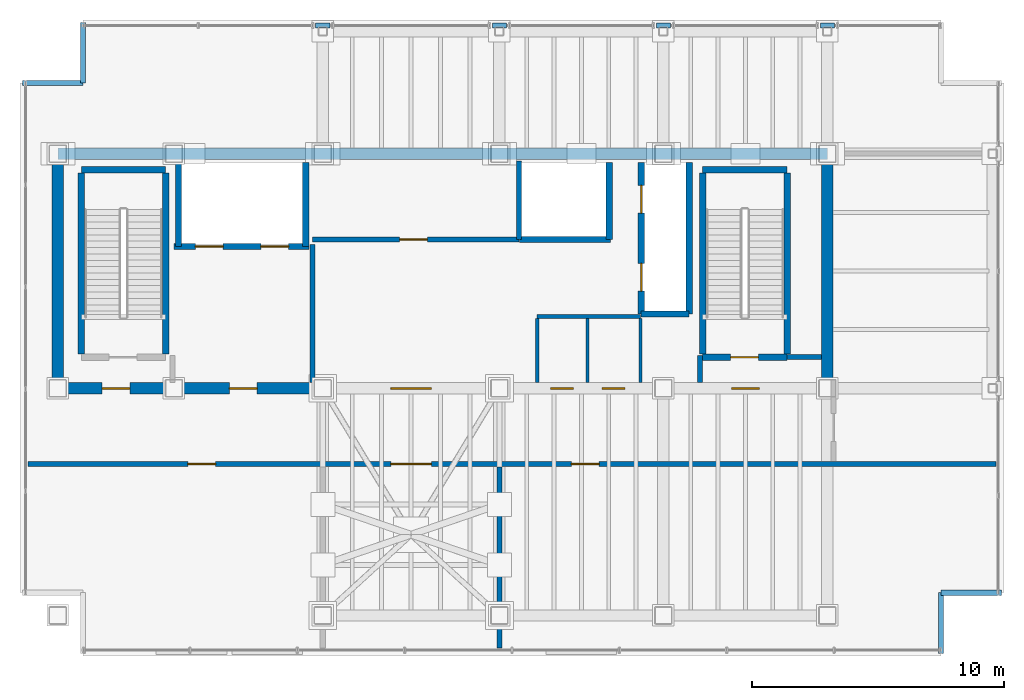
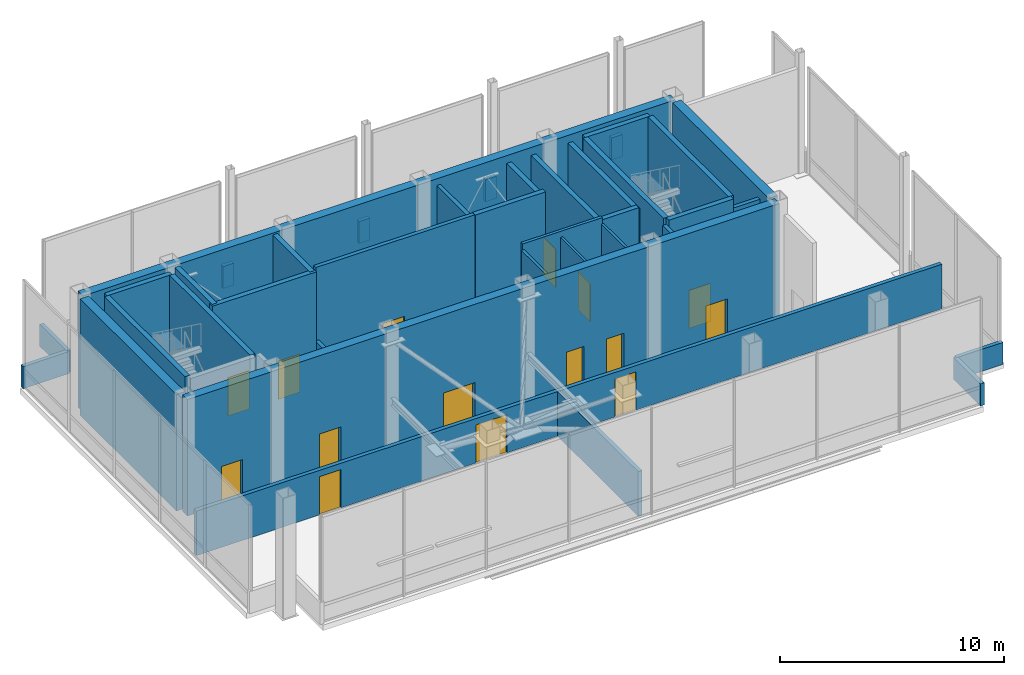
# One storey, part 17 of 19: 38 walls, 15 doors, 15 openings.
"""IFC4 building model written with IfcOpenShell, lengths in metres."""

from ifc_helpers import new_model, si_unit, direction, frame, frame_2d, origin, place, context, subcontext, project, spatial, rectangle, extrude, material, layer, layer_set, type_object, element, fill, save


model = new_model("IFC4")

# Units and contexts
model_context = context("Model", 3, precision=1e-05, world=origin(), true_north=direction((0.0, 1.0)))
body_context = subcontext(model_context, "Body", "Model", "MODEL_VIEW")
ifc_project = project(units=[si_unit("LENGTHUNIT", "METRE"), si_unit("AREAUNIT", "SQUARE_METRE"), si_unit("VOLUMEUNIT", "CUBIC_METRE"), si_unit("PLANEANGLEUNIT", "RADIAN"), si_unit("MASSUNIT", "GRAM", prefix="KILO")], contexts=[model_context])

# Site, building, storey
site_placement = place(None, origin())
site = spatial("IfcSite", under=ifc_project, at=site_placement, CompositionType="ELEMENT")
building_placement = place(site_placement, origin())
building = spatial("IfcBuilding", under=site, at=building_placement, Name="Noeulbin Bourse Tower", CompositionType="ELEMENT")
storey_placement = place(building_placement, frame((0.0, 0.0, 306.0)))
storey = spatial("IfcBuildingStorey", under=building, at=storey_placement, Name="L76", CompositionType="ELEMENT", Elevation=306.0)

# Wall, openings, doors
ifc_material_1 = material(Name="Concrete C50/60", Category="concrete")
ifc_layer_1 = layer(ifc_material_1, 0.449951171875)
ifc_layer_set_1 = layer_set([ifc_layer_1], Name="Concrete C50/60")
wall_type_1 = type_object("IfcWallType", Name="WAL-CORE-450", PredefinedType="SHEAR", material=ifc_layer_set_1)
wall_1_placement = place(storey_placement, frame((13.5, 29.0, 0.0), z_axis=(0.0, 0.0, 1.0), x_axis=(1.0, 0.0, 0.0)))
wall_1 = element("IfcWall", 1, at=wall_1_placement, inside=storey, type_object=wall_type_1, Name="Rear Core South Shear Wall L76", PredefinedType="SHEAR", context=body_context, shape_type="SweptSolid", body=[
    extrude(rectangle(XDim=30.5, YDim=0.449951171875, at=frame_2d((15.25, 0.0))), origin(), (0.0, 0.0, 1.0), 6.340087890625),
])
opening_1_placement = place(wall_1_placement, frame((1.75, 0.0, 0.0)))
opening_1 = element("IfcOpeningElement", 2, at=opening_1_placement, cuts=wall_1, Name="Opening FD-11", PredefinedType="OPENING", context=body_context, shape_type="SweptSolid", body=[
    extrude(rectangle(XDim=1.10009765625, YDim=2.080078125, at=frame_2d((0.550048828125, 1.0400390625))), frame((0.0, 0.23486328125, 0.0), z_axis=(0.0, -1.0, 0.0), x_axis=(1.0, 0.0, 0.0)), (0.0, 0.0, 1.0), 0.469970703125),
])
opening_2_placement = place(wall_1_placement, frame((26.699951171875, 0.0, 0.0)))
opening_2 = element("IfcOpeningElement", 3, at=opening_2_placement, cuts=wall_1, Name="Opening FD-11", PredefinedType="OPENING", context=body_context, shape_type="SweptSolid", body=[
    extrude(rectangle(XDim=1.10009765625, YDim=2.080078125, at=frame_2d((0.550048828125, 1.0400390625))), frame((0.0, 0.23486328125, 0.0), z_axis=(0.0, -1.0, 0.0), x_axis=(1.0, 0.0, 0.0)), (0.0, 0.0, 1.0), 0.469970703125),
])
opening_3_placement = place(wall_1_placement, frame((6.800048828125, 0.0, 0.0)))
opening_3 = element("IfcOpeningElement", 4, at=opening_3_placement, cuts=wall_1, Name="Opening FD-11", PredefinedType="OPENING", context=body_context, shape_type="SweptSolid", body=[
    extrude(rectangle(XDim=1.10009765625, YDim=2.080078125, at=frame_2d((0.550048828125, 1.0400390625))), frame((0.0, 0.23486328125, 0.0), z_axis=(0.0, -1.0, 0.0), x_axis=(1.0, 0.0, 0.0)), (0.0, 0.0, 1.0), 0.469970703125),
])
opening_4_placement = place(wall_1_placement, frame((13.199951171875, 0.0, 0.0)))
opening_4 = element("IfcOpeningElement", 5, at=opening_4_placement, cuts=wall_1, Name="Opening ID-16", PredefinedType="OPENING", context=body_context, shape_type="SweptSolid", body=[
    extrude(rectangle(XDim=1.60009765625, YDim=2.080078125, at=frame_2d((0.800048828125, 1.0400390625))), frame((0.0, 0.23486328125, 0.0), z_axis=(0.0, -1.0, 0.0), x_axis=(1.0, 0.0, 0.0)), (0.0, 0.0, 1.0), 0.469970703125),
])
opening_5_placement = place(wall_1_placement, frame((19.530029296875, 0.0, 0.0)))
opening_5 = element("IfcOpeningElement", 6, at=opening_5_placement, cuts=wall_1, Name="Opening FD-09", PredefinedType="OPENING", context=body_context, shape_type="SweptSolid", body=[
    extrude(rectangle(XDim=0.89990234375, YDim=2.080078125, at=frame_2d((0.449951171875, 1.0400390625))), frame((0.0, 0.23486328125, 0.0), z_axis=(0.0, -1.0, 0.0), x_axis=(1.0, 0.0, 0.0)), (0.0, 0.0, 1.0), 0.469970703125),
])
opening_6_placement = place(wall_1_placement, frame((21.570068359375, 0.0, 0.0)))
opening_6 = element("IfcOpeningElement", 7, at=opening_6_placement, cuts=wall_1, Name="Opening FD-09", PredefinedType="OPENING", context=body_context, shape_type="SweptSolid", body=[
    extrude(rectangle(XDim=0.89990234375, YDim=2.080078125, at=frame_2d((0.449951171875, 1.0400390625))), frame((0.0, 0.23486328125, 0.0), z_axis=(0.0, -1.0, 0.0), x_axis=(1.0, 0.0, 0.0)), (0.0, 0.0, 1.0), 0.469970703125),
])
ifc_material_2 = material(Name="Acoustic Glazed Aluminium", Category="aluminium")
door_type_1 = type_object("IfcDoorType", Name="DR-DBL-1600", OperationType="DOUBLE_DOOR_SINGLE_SWING", PredefinedType="DOOR", material=ifc_material_2)
door_1_placement = place(opening_4_placement, origin())
door_1 = element("IfcDoor", 8, at=door_1_placement, inside=storey, type_object=door_type_1, Name="Passenger Lift Lobby Portal L76", OperationType="DOUBLE_DOOR_SINGLE_SWING", OverallHeight=2.080078125, OverallWidth=1.60009765625, PredefinedType="DOOR", context=body_context, shape_type="SweptSolid", body=[
    extrude(rectangle(XDim=1.60009765625, YDim=2.080078125, at=frame_2d((0.800048828125, 1.0400390625))), frame((0.0, 0.02490234375, 0.0), z_axis=(0.0, -1.0, 0.0), x_axis=(1.0, 0.0, 0.0)), (0.0, 0.0, 1.0), 0.050048828125),
])
fill(opening_4, door_1)
ifc_material_3 = material(Name="Fire-Rated Timber Core", Category="wood")
door_type_2 = type_object("IfcDoorType", Name="DR-FD30-900", OperationType="SINGLE_SWING_RIGHT", PredefinedType="DOOR", material=ifc_material_3)
door_2_placement = place(opening_5_placement, origin())
door_2 = element("IfcDoor", 9, at=door_2_placement, inside=storey, type_object=door_type_2, Name="Interior Door L76-06", OperationType="SINGLE_SWING_RIGHT", OverallHeight=2.080078125, OverallWidth=0.89990234375, PredefinedType="DOOR", context=body_context, shape_type="SweptSolid", body=[
    extrude(rectangle(XDim=0.89990234375, YDim=2.080078125, at=frame_2d((0.449951171875, 1.0400390625))), frame((0.0, 0.02490234375, 0.0), z_axis=(0.0, -1.0, 0.0), x_axis=(1.0, 0.0, 0.0)), (0.0, 0.0, 1.0), 0.050048828125),
])
fill(opening_5, door_2)
door_3_placement = place(opening_6_placement, origin())
door_3 = element("IfcDoor", 10, at=door_3_placement, inside=storey, type_object=door_type_2, Name="Interior Door L76-07", OperationType="SINGLE_SWING_LEFT", OverallHeight=2.080078125, OverallWidth=0.89990234375, PredefinedType="DOOR", context=body_context, shape_type="SweptSolid", body=[
    extrude(rectangle(XDim=0.89990234375, YDim=2.080078125, at=frame_2d((0.449951171875, 1.0400390625))), frame((0.0, 0.02490234375, 0.0), z_axis=(0.0, -1.0, 0.0), x_axis=(1.0, 0.0, 0.0)), (0.0, 0.0, 1.0), 0.050048828125),
])
fill(opening_6, door_3)
ifc_material_4 = material(Name="Fire-Rated Insulated Steel", Category="steel")
door_type_3 = type_object("IfcDoorType", Name="DR-FD60-1100", OperationType="SINGLE_SWING_LEFT", PredefinedType="DOOR", material=ifc_material_4)
door_4_placement = place(opening_1_placement, origin())
door_4 = element("IfcDoor", 11, at=door_4_placement, inside=storey, type_object=door_type_3, Name="West Stair Lobby Door L76", OperationType="SINGLE_SWING_LEFT", OverallHeight=2.080078125, OverallWidth=1.10009765625, PredefinedType="DOOR", context=body_context, shape_type="SweptSolid", body=[
    extrude(rectangle(XDim=1.10009765625, YDim=2.080078125, at=frame_2d((0.550048828125, 1.0400390625))), frame((0.0, 0.02490234375, 0.0), z_axis=(0.0, -1.0, 0.0), x_axis=(1.0, 0.0, 0.0)), (0.0, 0.0, 1.0), 0.050048828125),
])
fill(opening_1, door_4)
door_5_placement = place(opening_2_placement, origin())
door_5 = element("IfcDoor", 12, at=door_5_placement, inside=storey, type_object=door_type_3, Name="East Stair Lobby Door L76", OperationType="SINGLE_SWING_RIGHT", OverallHeight=2.080078125, OverallWidth=1.10009765625, PredefinedType="DOOR", context=body_context, shape_type="SweptSolid", body=[
    extrude(rectangle(XDim=1.10009765625, YDim=2.080078125, at=frame_2d((0.550048828125, 1.0400390625))), frame((0.0, 0.02490234375, 0.0), z_axis=(0.0, -1.0, 0.0), x_axis=(1.0, 0.0, 0.0)), (0.0, 0.0, 1.0), 0.050048828125),
])
fill(opening_2, door_5)
door_6_placement = place(opening_3_placement, origin())
door_6 = element("IfcDoor", 13, at=door_6_placement, inside=storey, type_object=door_type_3, Name="Firefighting Lobby Door L76", OperationType="SINGLE_SWING_LEFT", OverallHeight=2.080078125, OverallWidth=1.10009765625, PredefinedType="DOOR", context=body_context, shape_type="SweptSolid", body=[
    extrude(rectangle(XDim=1.10009765625, YDim=2.080078125, at=frame_2d((0.550048828125, 1.0400390625))), frame((0.0, 0.02490234375, 0.0), z_axis=(0.0, -1.0, 0.0), x_axis=(1.0, 0.0, 0.0)), (0.0, 0.0, 1.0), 0.050048828125),
])
fill(opening_3, door_6)

# Walls
wall_2_placement = place(storey_placement, frame((13.5, 38.300048828125, 0.0), z_axis=(0.0, 0.0, 1.0), x_axis=(1.0, 0.0, 0.0)))
element("IfcWall", 14, at=wall_2_placement, inside=storey, type_object=wall_type_1, Name="Rear Core North Shear Wall L76", PredefinedType="SHEAR", context=body_context, shape_type="SweptSolid", body=[
    extrude(rectangle(XDim=30.5, YDim=0.449951171875, at=frame_2d((15.25, 0.0))), origin(), (0.0, 0.0, 1.0), 6.340087890625),
])
for number, where, z_axis, x_axis, name in (
    (15, (13.5, 29.35009765625, 0.0), (0.0, 0.0, 1.0), (0.0, 1.0, 0.0), "Rear Core West Shear Wall L76"),
    (16, (44.0, 29.35009765625, 0.0), (0.0, 0.0, 1.0), (0.0, 1.0, 0.0), "Rear Core East Shear Wall L76"),
):
    element("IfcWall", number, at=place(storey_placement, frame(where, z_axis=z_axis, x_axis=x_axis)), inside=storey, type_object=wall_type_1, Name=name, PredefinedType="SHEAR", context=body_context, shape_type="SweptSolid", body=[
        extrude(rectangle(XDim=8.599853515625, YDim=0.449951171875, at=frame_2d((4.2998046875, 0.0))), origin(), (0.0, 0.0, 1.0), 6.340087890625),
    ])
ifc_material_5 = material(Name="Concrete C40/50", Category="concrete")
ifc_layer_2 = layer(ifc_material_5, 0.199951171875)
ifc_layer_set_2 = layer_set([ifc_layer_2], Name="Concrete C40/50")
wall_type_2 = type_object("IfcWallType", Name="WAL-FIRE-200", PredefinedType="STANDARD", material=ifc_layer_set_2)
wall_3_placement = place(storey_placement, frame((42.39990234375, 30.239990234375, 0.0), z_axis=(0.0, 0.0, 1.0), x_axis=(1.0, 0.0, 0.0)))
element("IfcWall", 17, at=wall_3_placement, inside=storey, type_object=wall_type_2, Name="Interior Partition Wall L76-01", PredefinedType="STANDARD", context=body_context, shape_type="SweptSolid", body=[
    extrude(rectangle(XDim=1.364990234375, YDim=0.199951171875, at=frame_2d((0.6826171875, 0.0))), origin(), (0.0, 0.0, 1.0), 5.820068359375),
])

# Wall, opening, door
wall_4_placement = place(storey_placement, frame((23.60009765625, 34.89990234375, 0.0), z_axis=(0.0, 0.0, 1.0), x_axis=(1.0, 0.0, 0.0)))
wall_4 = element("IfcWall", 18, at=wall_4_placement, inside=storey, type_object=wall_type_2, Name="Interior Partition Wall L76-02", PredefinedType="STANDARD", context=body_context, shape_type="SweptSolid", body=[
    extrude(rectangle(XDim=8.179931640625, YDim=0.199951171875, at=frame_2d((4.08984375, 0.0))), origin(), (0.0, 0.0, 1.0), 6.340087890625),
])
opening_7_placement = place(wall_4_placement, frame((3.449951171875, 0.0, 0.0)))
opening_7 = element("IfcOpeningElement", 19, at=opening_7_placement, cuts=wall_4, Name="Opening FD-11", PredefinedType="OPENING", context=body_context, shape_type="SweptSolid", body=[
    extrude(rectangle(XDim=1.10009765625, YDim=2.080078125, at=frame_2d((0.550048828125, 1.0400390625))), frame((0.0, 0.10986328125, 0.0), z_axis=(0.0, -1.0, 0.0), x_axis=(1.0, 0.0, 0.0)), (0.0, 0.0, 1.0), 0.219970703125),
])
door_7_placement = place(opening_7_placement, origin())
door_7 = element("IfcDoor", 20, at=door_7_placement, inside=storey, type_object=door_type_3, Name="Telemetry Server Door L76", OperationType="SINGLE_SWING_LEFT", OverallHeight=2.080078125, OverallWidth=1.10009765625, PredefinedType="DOOR", context=body_context, shape_type="SweptSolid", body=[
    extrude(rectangle(XDim=1.10009765625, YDim=2.080078125, at=frame_2d((0.550048828125, 1.0400390625))), frame((0.0, 0.02490234375, 0.0), z_axis=(0.0, -1.0, 0.0), x_axis=(1.0, 0.0, 0.0)), (0.0, 0.0, 1.0), 0.050048828125),
])
fill(opening_7, door_7)

# Wall, openings, doors
wall_5_placement = place(storey_placement, frame((12.31005859375, 26.0, 0.0), z_axis=(0.0, 0.0, 1.0), x_axis=(1.0, 0.0, 0.0)))
wall_5 = element("IfcWall", 21, at=wall_5_placement, inside=storey, type_object=wall_type_2, Name="Interior Partition Wall L76-04", PredefinedType="STANDARD", context=body_context, shape_type="SweptSolid", body=[
    extrude(rectangle(XDim=38.3798828125, YDim=0.199951171875, at=frame_2d((19.18994140625, 0.0))), origin(), (0.0, 0.0, 1.0), 2.429931640625),
])
opening_8_placement = place(wall_5_placement, frame((6.340087890625, 0.0, 0.0)))
opening_8 = element("IfcOpeningElement", 22, at=opening_8_placement, cuts=wall_5, Name="Opening FD-11", PredefinedType="OPENING", context=body_context, shape_type="SweptSolid", body=[
    extrude(rectangle(XDim=1.10009765625, YDim=2.080078125, at=frame_2d((0.550048828125, 1.0400390625))), frame((0.0, 0.10986328125, 0.0), z_axis=(0.0, -1.0, 0.0), x_axis=(1.0, 0.0, 0.0)), (0.0, 0.0, 1.0), 0.219970703125),
])
opening_9_placement = place(wall_5_placement, frame((14.389892578125, 0.0, 0.0)))
opening_9 = element("IfcOpeningElement", 23, at=opening_9_placement, cuts=wall_5, Name="Opening ID-16", PredefinedType="OPENING", context=body_context, shape_type="SweptSolid", body=[
    extrude(rectangle(XDim=1.60009765625, YDim=2.080078125, at=frame_2d((0.800048828125, 1.0400390625))), frame((0.0, 0.10986328125, 0.0), z_axis=(0.0, -1.0, 0.0), x_axis=(1.0, 0.0, 0.0)), (0.0, 0.0, 1.0), 0.219970703125),
])
opening_10_placement = place(wall_5_placement, frame((21.5400390625, 0.0, 0.0)))
opening_10 = element("IfcOpeningElement", 24, at=opening_10_placement, cuts=wall_5, Name="Opening FD-11", PredefinedType="OPENING", context=body_context, shape_type="SweptSolid", body=[
    extrude(rectangle(XDim=1.10009765625, YDim=2.080078125, at=frame_2d((0.550048828125, 1.0400390625))), frame((0.0, 0.10986328125, 0.0), z_axis=(0.0, -1.0, 0.0), x_axis=(1.0, 0.0, 0.0)), (0.0, 0.0, 1.0), 0.219970703125),
])
door_8_placement = place(opening_9_placement, origin())
door_8 = element("IfcDoor", 25, at=door_8_placement, inside=storey, type_object=door_type_1, Name="Interior Door L76-10", OperationType="DOUBLE_DOOR_SINGLE_SWING", OverallHeight=2.080078125, OverallWidth=1.60009765625, PredefinedType="DOOR", context=body_context, shape_type="SweptSolid", body=[
    extrude(rectangle(XDim=1.60009765625, YDim=2.080078125, at=frame_2d((0.800048828125, 1.0400390625))), frame((0.0, 0.02490234375, 0.0), z_axis=(0.0, -1.0, 0.0), x_axis=(1.0, 0.0, 0.0)), (0.0, 0.0, 1.0), 0.050048828125),
])
fill(opening_9, door_8)
door_9_placement = place(opening_8_placement, origin())
door_9 = element("IfcDoor", 26, at=door_9_placement, inside=storey, type_object=door_type_3, Name="Interior Door L76-09", OperationType="SINGLE_SWING_LEFT", OverallHeight=2.080078125, OverallWidth=1.10009765625, PredefinedType="DOOR", context=body_context, shape_type="SweptSolid", body=[
    extrude(rectangle(XDim=1.10009765625, YDim=2.080078125, at=frame_2d((0.550048828125, 1.0400390625))), frame((0.0, 0.02490234375, 0.0), z_axis=(0.0, -1.0, 0.0), x_axis=(1.0, 0.0, 0.0)), (0.0, 0.0, 1.0), 0.050048828125),
])
fill(opening_8, door_9)
door_10_placement = place(opening_10_placement, origin())
door_10 = element("IfcDoor", 27, at=door_10_placement, inside=storey, type_object=door_type_3, Name="Interior Door L76-11", OperationType="SINGLE_SWING_LEFT", OverallHeight=2.080078125, OverallWidth=1.10009765625, PredefinedType="DOOR", context=body_context, shape_type="SweptSolid", body=[
    extrude(rectangle(XDim=1.10009765625, YDim=2.080078125, at=frame_2d((0.550048828125, 1.0400390625))), frame((0.0, 0.02490234375, 0.0), z_axis=(0.0, -1.0, 0.0), x_axis=(1.0, 0.0, 0.0)), (0.0, 0.0, 1.0), 0.050048828125),
])
fill(opening_10, door_10)

# Walls
wall_6_placement = place(storey_placement, frame((38.949951171875, 29.235107421875, 0.0), z_axis=(0.0, 0.0, 1.0), x_axis=(0.0, 1.0, 0.0)))
element("IfcWall", 28, at=wall_6_placement, inside=storey, type_object=wall_type_2, Name="Interior Partition Wall L76-07", PredefinedType="STANDARD", context=body_context, shape_type="SweptSolid", body=[
    extrude(rectangle(XDim=1.06494140625, YDim=0.199951171875, at=frame_2d((0.532470703125, 0.0))), origin(), (0.0, 0.0, 1.0), 6.02001953125),
])
wall_7_placement = place(storey_placement, frame((23.60009765625, 29.235107421875, 0.0), z_axis=(0.0, 0.0, 1.0), x_axis=(0.0, 1.0, 0.0)))
element("IfcWall", 29, at=wall_7_placement, inside=storey, type_object=wall_type_2, Name="Interior Partition Wall L76-08", PredefinedType="STANDARD", context=body_context, shape_type="SweptSolid", body=[
    extrude(rectangle(XDim=5.46484375, YDim=0.199951171875, at=frame_2d((2.732421875, 0.0))), origin(), (0.0, 0.0, 1.0), 2.429931640625),
])
wall_8_placement = place(storey_placement, frame((31.0, 18.7099609375, 0.0), z_axis=(0.0, 0.0, 1.0), x_axis=(0.0, 1.0, 0.0)))
element("IfcWall", 30, at=wall_8_placement, inside=storey, type_object=wall_type_2, Name="Interior Partition Wall L76-14", PredefinedType="STANDARD", context=body_context, shape_type="SweptSolid", body=[
    extrude(rectangle(XDim=7.179931640625, YDim=0.199951171875, at=frame_2d((3.58984375, 0.0))), origin(), (0.0, 0.0, 1.0), 2.429931640625),
])
ifc_layer_3 = layer(ifc_material_5, 0.199951171875)
ifc_layer_set_3 = layer_set([ifc_layer_3], Name="Concrete C40/50")
wall_type_3 = type_object("IfcWallType", Name="WAL-PAR-200", PredefinedType="PARAPET", material=ifc_layer_set_3)
for number, where, z_axis, x_axis, name in (
    (31, (23.719970703125, 43.3798828125, 0.0), (0.0, 0.0, 1.0), (1.0, 0.0, 0.0), "Perimeter Pier Spandrel Parapet L76-N1"),
    (32, (30.719970703125, 43.3798828125, 0.0), (0.0, 0.0, 1.0), (1.0, 0.0, 0.0), "Perimeter Pier Spandrel Parapet L76-N2"),
    (33, (37.219970703125, 43.3798828125, 0.0), (0.0, 0.0, 1.0), (1.0, 0.0, 0.0), "Perimeter Pier Spandrel Parapet L76-N3"),
    (34, (43.719970703125, 43.3798828125, 0.0), (0.0, 0.0, 1.0), (1.0, 0.0, 0.0), "Perimeter Pier Spandrel Parapet L76-N4"),
):
    element("IfcWall", number, at=place(storey_placement, frame(where, z_axis=z_axis, x_axis=x_axis)), inside=storey, type_object=wall_type_3, Name=name, PredefinedType="PARAPET", context=body_context, shape_type="SweptSolid", body=[
        extrude(rectangle(XDim=0.56005859375, YDim=0.199951171875, at=frame_2d((0.280029296875, 0.0))), origin(), (0.0, 0.0, 1.0), 1.199951171875),
    ])
for number, where, z_axis, x_axis, name in (
    (35, (48.5, 18.5, 0.0), (0.0, 0.0, 1.0), (0.0, 1.0, 0.0), "Corner Notch Parapet L76-SE1"),
    (36, (48.5, 20.89990234375, 0.0), (0.0, 0.0, 1.0), (1.0, 0.0, 0.0), "Corner Notch Parapet L76-SE2"),
    (37, (12.10009765625, 41.10009765625, 0.0), (0.0, 0.0, 1.0), (1.0, 0.0, 0.0), "Corner Notch Parapet L76-NW1"),
    (38, (14.5, 41.10009765625, 0.0), (0.0, 0.0, 1.0), (0.0, 1.0, 0.0), "Corner Notch Parapet L76-NW2"),
):
    element("IfcWall", number, at=place(storey_placement, frame(where, z_axis=z_axis, x_axis=x_axis)), inside=storey, type_object=wall_type_3, Name=name, PredefinedType="PARAPET", context=body_context, shape_type="SweptSolid", body=[
        extrude(rectangle(XDim=2.39990234375, YDim=0.199951171875, at=frame_2d((1.199951171875, 0.0))), origin(), (0.0, 0.0, 1.0), 1.199951171875),
    ])
ifc_material_6 = material(Name="Steel Stud Gypsum Partition", Category="steel")
ifc_layer_4 = layer(ifc_material_6, 0.1201171875)
ifc_layer_set_4 = layer_set([ifc_layer_4], Name="Steel Stud Gypsum Partition")
wall_type_4 = type_object("IfcWallType", Name="WAL-PRT-120", PredefinedType="PARTITIONING", material=ifc_layer_set_4)
for number, where, z_axis, x_axis, name in (
    (39, (36.60009765625, 29.235107421875, 0.0), (0.0, 0.0, 1.0), (0.0, 1.0, 0.0), "Interior Partition Wall L76-10"),
    (40, (34.5, 29.235107421875, 0.0), (0.0, 0.0, 1.0), (0.0, 1.0, 0.0), "Interior Partition Wall L76-11"),
):
    element("IfcWall", number, at=place(storey_placement, frame(where, z_axis=z_axis, x_axis=x_axis)), inside=storey, type_object=wall_type_4, Name=name, PredefinedType="PARTITIONING", context=body_context, shape_type="SweptSolid", body=[
        extrude(rectangle(XDim=2.52978515625, YDim=0.1201171875, at=frame_2d((1.264892578125, 0.0))), origin(), (0.0, 0.0, 1.0), 6.02001953125),
    ])
ifc_material_7 = material(Name="Steel Stud Acoustic Gypsum Board", Category="steel")
ifc_layer_5 = layer(ifc_material_7, 0.14990234375)
ifc_layer_set_5 = layer_set([ifc_layer_5], Name="Steel Stud Acoustic Gypsum Board")
wall_type_5 = type_object("IfcWallType", Name="WAL-PRT-150", PredefinedType="PARTITIONING", material=ifc_layer_set_5)
wall_9_placement = place(storey_placement, frame((32.5, 31.85009765625, 0.0), z_axis=(0.0, 0.0, 1.0), x_axis=(1.0, 0.0, 0.0)))
element("IfcWall", 41, at=wall_9_placement, inside=storey, type_object=wall_type_5, Name="Interior Partition Wall L76-03", PredefinedType="PARTITIONING", context=body_context, shape_type="SweptSolid", body=[
    extrude(rectangle(XDim=4.10009765625, YDim=0.14990234375, at=frame_2d((2.050048828125, 0.0))), origin(), (0.0, 0.0, 1.0), 6.340087890625),
])
wall_10_placement = place(storey_placement, frame((32.5, 29.235107421875, 0.0), z_axis=(0.0, 0.0, 1.0), x_axis=(0.0, 1.0, 0.0)))
element("IfcWall", 42, at=wall_10_placement, inside=storey, type_object=wall_type_5, Name="Interior Partition Wall L76-09", PredefinedType="PARTITIONING", context=body_context, shape_type="SweptSolid", body=[
    extrude(rectangle(XDim=2.52978515625, YDim=0.14990234375, at=frame_2d((1.264892578125, 0.0))), origin(), (0.0, 0.0, 1.0), 6.02001953125),
])
ifc_layer_6 = layer(ifc_material_5, 0.25)
ifc_layer_set_6 = layer_set([ifc_layer_6], Name="Concrete C40/50")
wall_type_6 = type_object("IfcWallType", Name="WAL-SHFT-250", PredefinedType="STANDARD", material=ifc_layer_set_6)
wall_11_placement = place(storey_placement, frame((14.429931640625, 37.6689453125, 0.0), z_axis=(0.0, 0.0, 1.0), x_axis=(1.0, 0.0, 0.0)))
element("IfcWall", 43, at=wall_11_placement, inside=storey, type_object=wall_type_6, Name="Stair ST-1 North Shaft Wall L76", PredefinedType="STANDARD", context=body_context, shape_type="SweptSolid", body=[
    extrude(rectangle(XDim=3.340087890625, YDim=0.25, at=frame_2d((1.669921875, 0.0))), origin(), (0.0, 0.0, 1.0), 6.340087890625),
])
for number, where, z_axis, x_axis, name in (
    (44, (14.425048828125, 30.360107421875, 0.0), (0.0, 0.0, 1.0), (0.0, 1.0, 0.0), "Stair ST-1 West Shaft Wall L76"),
    (45, (17.77490234375, 30.360107421875, 0.0), (0.0, 0.0, 1.0), (0.0, 1.0, 0.0), "Stair ST-1 East Shaft Wall L76"),
):
    element("IfcWall", number, at=place(storey_placement, frame(where, z_axis=z_axis, x_axis=x_axis)), inside=storey, type_object=wall_type_6, Name=name, PredefinedType="STANDARD", context=body_context, shape_type="SweptSolid", body=[
        extrude(rectangle(XDim=7.183837890625, YDim=0.25, at=frame_2d((3.591796875, 0.0))), origin(), (0.0, 0.0, 1.0), 6.340087890625),
    ])

# Wall, opening, door
wall_12_placement = place(storey_placement, frame((39.06005859375, 30.235107421875, 0.0), z_axis=(0.0, 0.0, 1.0), x_axis=(1.0, 0.0, 0.0)))
wall_12 = element("IfcWall", 46, at=wall_12_placement, inside=storey, type_object=wall_type_6, Name="Stair ST-2 South Shaft Wall L76", PredefinedType="STANDARD", context=body_context, shape_type="SweptSolid", body=[
    extrude(rectangle(XDim=3.33984375, YDim=0.25, at=frame_2d((1.669921875, 0.0))), origin(), (0.0, 0.0, 1.0), 6.340087890625),
])
opening_11_placement = place(wall_12_placement, frame((1.10009765625, 0.0, 0.0)))
opening_11 = element("IfcOpeningElement", 47, at=opening_11_placement, cuts=wall_12, Name="Opening FD-11", PredefinedType="OPENING", context=body_context, shape_type="SweptSolid", body=[
    extrude(rectangle(XDim=1.10009765625, YDim=2.080078125, at=frame_2d((0.550048828125, 1.0400390625))), frame((0.0, 0.135009765625, 0.0), z_axis=(0.0, -1.0, 0.0), x_axis=(1.0, 0.0, 0.0)), (0.0, 0.0, 1.0), 0.27001953125),
])
door_11_placement = place(opening_11_placement, origin())
door_11 = element("IfcDoor", 48, at=door_11_placement, inside=storey, type_object=door_type_3, Name="Protected Stair Entry Door ST2-L76", OperationType="SINGLE_SWING_RIGHT", OverallHeight=2.080078125, OverallWidth=1.10009765625, PredefinedType="DOOR", context=body_context, shape_type="SweptSolid", body=[
    extrude(rectangle(XDim=1.10009765625, YDim=2.080078125, at=frame_2d((0.550048828125, 1.0400390625))), frame((0.0, 0.02490234375, 0.0), z_axis=(0.0, -1.0, 0.0), x_axis=(1.0, 0.0, 0.0)), (0.0, 0.0, 1.0), 0.050048828125),
])
fill(opening_11, door_11)

# Walls
wall_13_placement = place(storey_placement, frame((39.06005859375, 37.6689453125, 0.0), z_axis=(0.0, 0.0, 1.0), x_axis=(1.0, 0.0, 0.0)))
element("IfcWall", 49, at=wall_13_placement, inside=storey, type_object=wall_type_6, Name="Stair ST-2 North Shaft Wall L76", PredefinedType="STANDARD", context=body_context, shape_type="SweptSolid", body=[
    extrude(rectangle(XDim=3.33984375, YDim=0.25, at=frame_2d((1.669921875, 0.0))), origin(), (0.0, 0.0, 1.0), 6.340087890625),
])
for number, where, z_axis, x_axis, name in (
    (50, (39.054931640625, 30.360107421875, 0.0), (0.0, 0.0, 1.0), (0.0, 1.0, 0.0), "Stair ST-2 West Shaft Wall L76"),
    (51, (42.405029296875, 30.360107421875, 0.0), (0.0, 0.0, 1.0), (0.0, 1.0, 0.0), "Stair ST-2 East Shaft Wall L76"),
):
    element("IfcWall", number, at=place(storey_placement, frame(where, z_axis=z_axis, x_axis=x_axis)), inside=storey, type_object=wall_type_6, Name=name, PredefinedType="STANDARD", context=body_context, shape_type="SweptSolid", body=[
        extrude(rectangle(XDim=7.183837890625, YDim=0.25, at=frame_2d((3.591796875, 0.0))), origin(), (0.0, 0.0, 1.0), 6.340087890625),
    ])

# Wall, openings, doors
wall_14_placement = place(storey_placement, frame((18.10009765625, 34.6201171875, 0.0), z_axis=(0.0, 0.0, 1.0), x_axis=(1.0, 0.0, 0.0)))
wall_14 = element("IfcWall", 52, at=wall_14_placement, inside=storey, type_object=wall_type_6, Name="Firefighting Lift Shaft Front L76", PredefinedType="STANDARD", context=body_context, shape_type="SweptSolid", body=[
    extrude(rectangle(XDim=5.349853515625, YDim=0.25, at=frame_2d((2.6748046875, 0.0))), origin(), (0.0, 0.0, 1.0), 6.340087890625),
])
opening_12_placement = place(wall_14_placement, frame((0.85009765625, 0.0, 0.0)))
opening_12 = element("IfcOpeningElement", 53, at=opening_12_placement, cuts=wall_14, Name="Opening LD-11", PredefinedType="OPENING", context=body_context, shape_type="SweptSolid", body=[
    extrude(rectangle(XDim=1.10009765625, YDim=2.080078125, at=frame_2d((0.550048828125, 1.0400390625))), frame((0.0, 0.135009765625, 0.0), z_axis=(0.0, -1.0, 0.0), x_axis=(1.0, 0.0, 0.0)), (0.0, 0.0, 1.0), 0.27001953125),
])
opening_13_placement = place(wall_14_placement, frame((3.449951171875, 0.0, 0.0)))
opening_13 = element("IfcOpeningElement", 54, at=opening_13_placement, cuts=wall_14, Name="Opening LD-11", PredefinedType="OPENING", context=body_context, shape_type="SweptSolid", body=[
    extrude(rectangle(XDim=1.10009765625, YDim=2.080078125, at=frame_2d((0.550048828125, 1.0400390625))), frame((0.0, 0.135009765625, 0.0), z_axis=(0.0, -1.0, 0.0), x_axis=(1.0, 0.0, 0.0)), (0.0, 0.0, 1.0), 0.27001953125),
])
ifc_material_8 = material(Name="Brushed Stainless Steel 316", Category="steel")
door_type_4 = type_object("IfcDoorType", Name="DR-LIFT-1100", OperationType="SLIDING_TO_LEFT", PredefinedType="DOOR", material=ifc_material_8)
door_12_placement = place(opening_12_placement, origin())
door_12 = element("IfcDoor", 55, at=door_12_placement, inside=storey, type_object=door_type_4, Name="Lift Landing Door LD-FL-01-L76", OperationType="SLIDING_TO_LEFT", OverallHeight=2.080078125, OverallWidth=1.10009765625, PredefinedType="DOOR", context=body_context, shape_type="SweptSolid", body=[
    extrude(rectangle(XDim=1.10009765625, YDim=2.080078125, at=frame_2d((0.550048828125, 1.0400390625))), frame((0.0, 0.02490234375, 0.0), z_axis=(0.0, -1.0, 0.0), x_axis=(1.0, 0.0, 0.0)), (0.0, 0.0, 1.0), 0.050048828125),
])
fill(opening_12, door_12)
door_13_placement = place(opening_13_placement, origin())
door_13 = element("IfcDoor", 56, at=door_13_placement, inside=storey, type_object=door_type_4, Name="Lift Landing Door LD-FL-02-L76", OperationType="SLIDING_TO_LEFT", OverallHeight=2.080078125, OverallWidth=1.10009765625, PredefinedType="DOOR", context=body_context, shape_type="SweptSolid", body=[
    extrude(rectangle(XDim=1.10009765625, YDim=2.080078125, at=frame_2d((0.550048828125, 1.0400390625))), frame((0.0, 0.02490234375, 0.0), z_axis=(0.0, -1.0, 0.0), x_axis=(1.0, 0.0, 0.0)), (0.0, 0.0, 1.0), 0.050048828125),
])
fill(opening_13, door_13)

wall_15_placement = place(storey_placement, frame((36.6201171875, 31.949951171875, 0.0), z_axis=(0.0, 0.0, 1.0), x_axis=(0.0, 1.0, 0.0)))
wall_15 = element("IfcWall", 57, at=wall_15_placement, inside=storey, type_object=wall_type_6, Name="Service Lift Shaft Wall L76", PredefinedType="STANDARD", context=body_context, shape_type="SweptSolid", body=[
    extrude(rectangle(XDim=6.0, YDim=0.25, at=frame_2d((3.0, 0.0))), origin(), (0.0, 0.0, 1.0), 6.02001953125),
])
opening_14_placement = place(wall_15_placement, frame((0.89990234375, 0.0, 0.0)))
opening_14 = element("IfcOpeningElement", 58, at=opening_14_placement, cuts=wall_15, Name="Opening LD-11", PredefinedType="OPENING", context=body_context, shape_type="SweptSolid", body=[
    extrude(rectangle(XDim=1.10009765625, YDim=2.080078125, at=frame_2d((0.550048828125, 1.0400390625))), frame((0.0, 0.135009765625, 0.0), z_axis=(0.0, -1.0, 0.0), x_axis=(1.0, 0.0, 0.0)), (0.0, 0.0, 1.0), 0.27001953125),
])
opening_15_placement = place(wall_15_placement, frame((4.0, 0.0, 0.0)))
opening_15 = element("IfcOpeningElement", 59, at=opening_15_placement, cuts=wall_15, Name="Opening LD-11", PredefinedType="OPENING", context=body_context, shape_type="SweptSolid", body=[
    extrude(rectangle(XDim=1.10009765625, YDim=2.080078125, at=frame_2d((0.550048828125, 1.0400390625))), frame((0.0, 0.135009765625, 0.0), z_axis=(0.0, -1.0, 0.0), x_axis=(1.0, 0.0, 0.0)), (0.0, 0.0, 1.0), 0.27001953125),
])
door_14_placement = place(opening_14_placement, origin())
door_14 = element("IfcDoor", 60, at=door_14_placement, inside=storey, type_object=door_type_4, Name="Lift Landing Door LD-EL-01-L76", OperationType="SLIDING_TO_LEFT", OverallHeight=2.080078125, OverallWidth=1.10009765625, PredefinedType="DOOR", context=body_context, shape_type="SweptSolid", body=[
    extrude(rectangle(XDim=1.10009765625, YDim=2.080078125, at=frame_2d((0.550048828125, 1.0400390625))), frame((0.0, 0.02490234375, 0.0), z_axis=(0.0, -1.0, 0.0), x_axis=(1.0, 0.0, 0.0)), (0.0, 0.0, 1.0), 0.050048828125),
])
fill(opening_14, door_14)
door_15_placement = place(opening_15_placement, origin())
door_15 = element("IfcDoor", 61, at=door_15_placement, inside=storey, type_object=door_type_4, Name="Lift Landing Door LD-SV-01-L76", OperationType="SLIDING_TO_LEFT", OverallHeight=2.080078125, OverallWidth=1.10009765625, PredefinedType="DOOR", context=body_context, shape_type="SweptSolid", body=[
    extrude(rectangle(XDim=1.10009765625, YDim=2.080078125, at=frame_2d((0.550048828125, 1.0400390625))), frame((0.0, 0.02490234375, 0.0), z_axis=(0.0, -1.0, 0.0), x_axis=(1.0, 0.0, 0.0)), (0.0, 0.0, 1.0), 0.050048828125),
])
fill(opening_15, door_15)

# Walls
wall_16_placement = place(storey_placement, frame((38.52001953125, 31.949951171875, 0.0), z_axis=(0.0, 0.0, 1.0), x_axis=(0.0, 1.0, 0.0)))
element("IfcWall", 62, at=wall_16_placement, inside=storey, type_object=wall_type_6, Name="Service Lift East Shaft Wall L76", PredefinedType="STANDARD", context=body_context, shape_type="SweptSolid", body=[
    extrude(rectangle(XDim=6.0, YDim=0.25, at=frame_2d((3.0, 0.0))), origin(), (0.0, 0.0, 1.0), 6.02001953125),
])
wall_17_placement = place(storey_placement, frame((36.6201171875, 31.949951171875, 0.0), z_axis=(0.0, 0.0, 1.0), x_axis=(1.0, 0.0, 0.0)))
element("IfcWall", 63, at=wall_17_placement, inside=storey, type_object=wall_type_6, Name="Service Lift South Shaft Wall L76", PredefinedType="STANDARD", context=body_context, shape_type="SweptSolid", body=[
    extrude(rectangle(XDim=1.89990234375, YDim=0.25, at=frame_2d((0.949951171875, 0.0))), origin(), (0.0, 0.0, 1.0), 6.179931640625),
])
for number, where, z_axis, x_axis, name in (
    (64, (18.280029296875, 34.6201171875, 0.0), (0.0, 0.0, 1.0), (0.0, 1.0, 0.0), "Firefighting Lift West Shaft Wall L76"),
    (65, (23.320068359375, 34.6201171875, 0.0), (0.0, 0.0, 1.0), (0.0, 1.0, 0.0), "Firefighting Lift East Shaft Wall L76"),
):
    element("IfcWall", number, at=place(storey_placement, frame(where, z_axis=z_axis, x_axis=x_axis)), inside=storey, type_object=wall_type_6, Name=name, PredefinedType="STANDARD", context=body_context, shape_type="SweptSolid", body=[
        extrude(rectangle(XDim=3.329833984375, YDim=0.25, at=frame_2d((1.6650390625, 0.0))), origin(), (0.0, 0.0, 1.0), 6.340087890625),
    ])
wall_18_placement = place(storey_placement, frame((35.360107421875, 34.89990234375, 0.0), z_axis=(0.0, 0.0, 1.0), x_axis=(0.0, 1.0, 0.0)))
element("IfcWall", 66, at=wall_18_placement, inside=storey, type_object=wall_type_6, Name="High-Rise Lift East Shaft Wall L76", PredefinedType="STANDARD", context=body_context, shape_type="SweptSolid", body=[
    extrude(rectangle(XDim=3.050048828125, YDim=0.25, at=frame_2d((1.52490234375, 0.0))), origin(), (0.0, 0.0, 1.0), 6.02001953125),
])
wall_19_placement = place(storey_placement, frame((31.800048828125, 34.89990234375, 0.0), z_axis=(0.0, 0.0, 1.0), x_axis=(1.0, 0.0, 0.0)))
element("IfcWall", 67, at=wall_19_placement, inside=storey, type_object=wall_type_6, Name="High-Rise Lift Bank Front L76", PredefinedType="STANDARD", context=body_context, shape_type="SweptSolid", body=[
    extrude(rectangle(XDim=3.599853515625, YDim=0.25, at=frame_2d((1.7998046875, 0.0))), origin(), (0.0, 0.0, 1.0), 6.340087890625),
])
wall_20_placement = place(storey_placement, frame((31.780029296875, 34.89990234375, 0.0), z_axis=(0.0, 0.0, 1.0), x_axis=(0.0, 1.0, 0.0)))
element("IfcWall", 68, at=wall_20_placement, inside=storey, type_object=wall_type_6, Name="Hoistway Side Shaft Wall L76-PLHW", PredefinedType="STANDARD", context=body_context, shape_type="SweptSolid", body=[
    extrude(rectangle(XDim=3.1201171875, YDim=0.199951171875, at=frame_2d((1.56005859375, 0.0))), origin(), (0.0, 0.0, 1.0), 6.02001953125),
])

save(model, "model.ifc")
